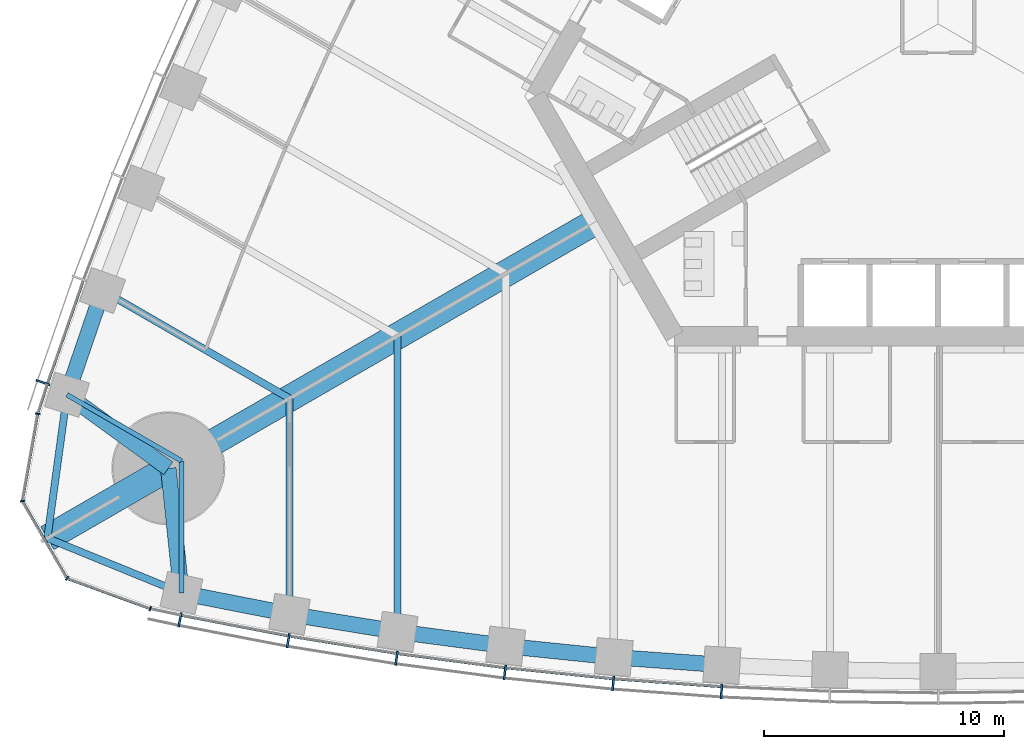
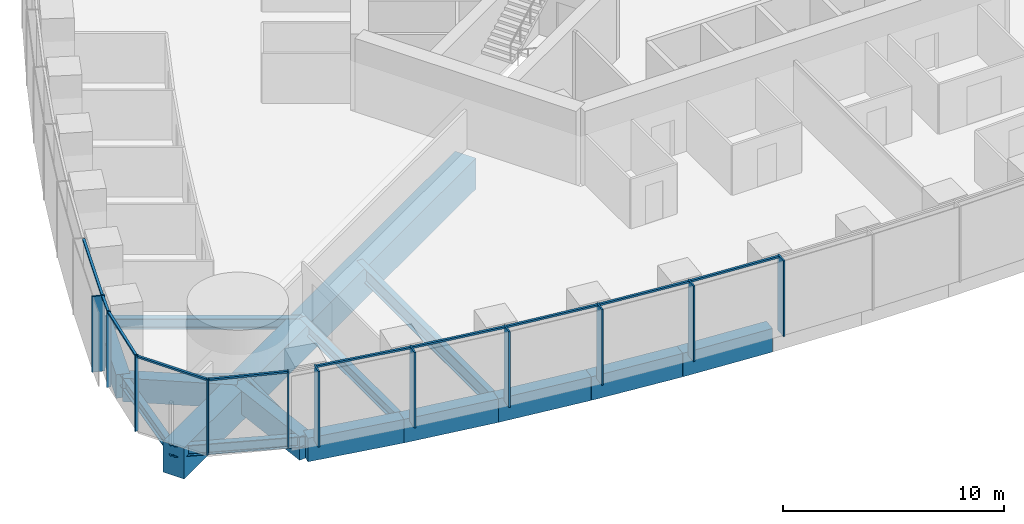
# One storey, part 2 of 19: 21 members, 17 beams, 3 elements without a shape of their own.
"""IFC4 building model written with IfcOpenShell, lengths in metres."""

from ifc_helpers import new_model, si_unit, direction, frame, origin, origin_2d, place, context, subcontext, project, spatial, rectangle, i_section, extrude, material, material_profile, profile_set, type_object, element, aggregate, save


model = new_model("IFC4")

# Units and contexts
model_context = context("Model", 3, precision=1e-05, world=origin(), true_north=direction((0.0, 1.0)))
body_context = subcontext(model_context, "Body", "Model", "MODEL_VIEW")
ifc_project = project(units=[si_unit("LENGTHUNIT", "METRE"), si_unit("AREAUNIT", "SQUARE_METRE"), si_unit("VOLUMEUNIT", "CUBIC_METRE"), si_unit("PLANEANGLEUNIT", "RADIAN"), si_unit("MASSUNIT", "GRAM", prefix="KILO")], contexts=[model_context])

# Site, building, storey
site_placement = place(None, origin())
site = spatial("IfcSite", under=ifc_project, at=site_placement, CompositionType="ELEMENT")
building_placement = place(site_placement, origin())
building = spatial("IfcBuilding", under=site, at=building_placement, Name="Trefoil Bronze Tower", CompositionType="ELEMENT")
storey_placement = place(building_placement, frame((0.0, 0.0, 45.89990234375)))
storey = spatial("IfcBuildingStorey", under=building, at=storey_placement, Name="L10", CompositionType="ELEMENT", Elevation=45.89990234375)

# Curtain wall, members
ifc_material_1 = material(Name="Tinted solar-control glass", Category="glass")
curtain_wall_type_1 = type_object("IfcCurtainWallType", Name="Bronze office curtain wall", PredefinedType="USERDEFINED", material=ifc_material_1)
curtain_wall_1_placement = place(storey_placement, origin())
curtain_wall_1 = element("IfcCurtainWall", 1, at=curtain_wall_1_placement, inside=storey, type_object=curtain_wall_type_1, Name="CW-A L10 F1", ObjectType="CURTAIN WALL", PredefinedType="USERDEFINED")
ifc_material_2 = material(Name="Bronze-finish aluminium", Category="aluminium")
ifc_material_profile_1 = material_profile(ifc_material_2, rectangle(XDim=0.60009765625, YDim=0.080078125, at=origin_2d()), Name="CW-A mullion")
ifc_profile_set_1 = profile_set([ifc_material_profile_1], Name="Bronze-finish aluminium")
member_type_1 = type_object("IfcMemberType", Name="Bronze office curtain wall mullion", PredefinedType="MULLION", material=ifc_profile_set_1)
member_1_placement = place(storey_placement, frame((-31.559326171875, -24.81005859375, 0.0), z_axis=(0.0, 0.0, 1.0), x_axis=(0.197910006829, 0.98022019424, 0.0)))
member_1 = element("IfcMember", 2, at=member_1_placement, type_object=member_type_1, Name="CW-A L10 F1 mullion 2", PredefinedType="MULLION", context=body_context, shape_type="SweptSolid", body=[
    extrude(rectangle(XDim=0.60009765625, YDim=0.080078125, at=origin_2d()), origin(), (0.0, 0.0, 1.0), 4.18017578125),
])
member_2_placement = place(storey_placement, frame((-27.05224609375, -25.67578125, 0.0), z_axis=(0.0, 0.0, 1.0), x_axis=(0.174131146426, 0.984722470468, 0.0)))
member_2 = element("IfcMember", 3, at=member_2_placement, type_object=member_type_1, Name="CW-A L10 F1 mullion 3", PredefinedType="MULLION", context=body_context, shape_type="SweptSolid", body=[
    extrude(rectangle(XDim=0.60009765625, YDim=0.080078125, at=origin_2d()), origin(), (0.0, 0.0, 1.0), 4.18017578125),
])
member_3_placement = place(storey_placement, frame((-22.54345703125, -26.40478515625, 0.0), z_axis=(0.0, 0.0, 1.0), x_axis=(0.145108990094, 0.989415676546, 0.0)))
member_3 = element("IfcMember", 4, at=member_3_placement, type_object=member_type_1, Name="CW-A L10 F1 mullion 4", PredefinedType="MULLION", context=body_context, shape_type="SweptSolid", body=[
    extrude(rectangle(XDim=0.60009765625, YDim=0.080078125, at=origin_2d()), origin(), (0.0, 0.0, 1.0), 4.18017578125),
])
member_4_placement = place(storey_placement, frame((-18.034912109375, -26.99853515625, 0.0), z_axis=(0.0, 0.0, 1.0), x_axis=(0.116086999973, 0.993239048989, 0.0)))
member_4 = element("IfcMember", 5, at=member_4_placement, type_object=member_type_1, Name="CW-A L10 F1 mullion 5", PredefinedType="MULLION", context=body_context, shape_type="SweptSolid", body=[
    extrude(rectangle(XDim=0.60009765625, YDim=0.080078125, at=origin_2d()), origin(), (0.0, 0.0, 1.0), 4.18017578125),
])
member_5_placement = place(storey_placement, frame((-13.526123046875, -27.458984375, 0.0), z_axis=(0.0, 0.0, 1.0), x_axis=(0.087065139456, 0.996202620701, 0.0)))
member_5 = element("IfcMember", 6, at=member_5_placement, type_object=member_type_1, Name="CW-A L10 F1 mullion 6", PredefinedType="MULLION", context=body_context, shape_type="SweptSolid", body=[
    extrude(rectangle(XDim=0.60009765625, YDim=0.080078125, at=origin_2d()), origin(), (0.0, 0.0, 1.0), 4.18017578125),
])
member_6_placement = place(storey_placement, frame((-9.017333984375, -27.786865234375, 0.0), z_axis=(0.0, 0.0, 1.0), x_axis=(0.058043374207, 0.998314062162, 0.0)))
member_6 = element("IfcMember", 7, at=member_6_placement, type_object=member_type_1, Name="CW-A L10 F1 mullion 7", PredefinedType="MULLION", context=body_context, shape_type="SweptSolid", body=[
    extrude(rectangle(XDim=0.60009765625, YDim=0.080078125, at=origin_2d()), origin(), (0.0, 0.0, 1.0), 4.18017578125),
])

# Curtain wall, member
curtain_wall_2_placement = place(storey_placement, origin())
curtain_wall_2 = element("IfcCurtainWall", 8, at=curtain_wall_2_placement, inside=storey, type_object=curtain_wall_type_1, Name="CW-A L10 F3", ObjectType="CURTAIN WALL", PredefinedType="USERDEFINED")
member_7_placement = place(storey_placement, frame((-37.265869140625, -14.92626953125, 0.0), z_axis=(0.0, 0.0, 1.0), x_axis=(0.947850592929, -0.318715003543, 0.0)))
member_7 = element("IfcMember", 9, at=member_7_placement, type_object=member_type_1, Name="CW-A L10 F3 mullion 16", PredefinedType="MULLION", context=body_context, shape_type="SweptSolid", body=[
    extrude(rectangle(XDim=0.60009765625, YDim=0.080078125, at=origin_2d()), origin(), (0.0, 0.0, 1.0), 4.18017578125),
])

# Member
ifc_material_3 = material(Name="Bronze-finish aluminium", Category="aluminium")
ifc_material_profile_2 = material_profile(ifc_material_3, rectangle(XDim=0.1201171875, YDim=0.10009765625, at=origin_2d()), Name="CW-A transom")
ifc_profile_set_2 = profile_set([ifc_material_profile_2], Name="Bronze-finish aluminium")
member_type_2 = type_object("IfcMemberType", Name="Bronze office curtain wall transom", PredefinedType="USERDEFINED", material=ifc_profile_set_2)
member_8_placement = place(storey_placement, frame((-31.4794921875, -24.621826171875, 4.130126953125), z_axis=(0.982053603997, -0.188602011855, 0.0), x_axis=(0.188602011855, 0.982053603997, 0.0)))
member_8 = element("IfcMember", 10, at=member_8_placement, type_object=member_type_2, Name="CW-A L10 F1 transom 2", ObjectType="TRANSOM", PredefinedType="USERDEFINED", context=body_context, shape_type="SweptSolid", body=[
    extrude(rectangle(XDim=0.1201171875, YDim=0.10009765625, at=origin_2d()), origin(), (0.0, 0.0, 1.0), 4.502197265625),
])

member_9_placement = place(storey_placement, frame((-26.9765625, -25.4853515625, 4.130126953125), z_axis=(0.987179401487, -0.159614627398, 0.0), x_axis=(0.159614627398, 0.987179401487, 0.0)))
member_9 = element("IfcMember", 11, at=member_9_placement, type_object=member_type_2, Name="CW-A L10 F1 transom 3", ObjectType="TRANSOM", PredefinedType="USERDEFINED", context=body_context, shape_type="SweptSolid", body=[
    extrude(rectangle(XDim=0.1201171875, YDim=0.10009765625, at=origin_2d()), origin(), (0.0, 0.0, 1.0), 4.478515625),
])

member_10_placement = place(storey_placement, frame((-22.473388671875, -26.212158203125, 4.130126953125), z_axis=(0.991436581643, -0.13058906761, 0.0), x_axis=(0.13058906761, 0.991436581643, 0.0)))
member_10 = element("IfcMember", 12, at=member_10_placement, type_object=member_type_2, Name="CW-A L10 F1 transom 4", ObjectType="TRANSOM", PredefinedType="USERDEFINED", context=body_context, shape_type="SweptSolid", body=[
    extrude(rectangle(XDim=0.1201171875, YDim=0.10009765625, at=origin_2d()), origin(), (0.0, 0.0, 1.0), 4.458740234375),
])

member_11_placement = place(storey_placement, frame((-17.970458984375, -26.80419921875, 4.130126953125), z_axis=(0.994831650915, -0.101538102888, 0.0), x_axis=(0.101538102888, 0.994831650915, 0.0)))
member_11 = element("IfcMember", 13, at=member_11_placement, type_object=member_type_2, Name="CW-A L10 F1 transom 5", ObjectType="TRANSOM", PredefinedType="USERDEFINED", context=body_context, shape_type="SweptSolid", body=[
    extrude(rectangle(XDim=0.1201171875, YDim=0.10009765625, at=origin_2d()), origin(), (0.0, 0.0, 1.0), 4.443359375),
])

member_12_placement = place(storey_placement, frame((-13.46728515625, -27.2626953125, 4.130126953125), z_axis=(0.997364729945, -0.07255064067, 0.0), x_axis=(0.07255064067, 0.997364729945, 0.0)))
member_12 = element("IfcMember", 14, at=member_12_placement, type_object=member_type_2, Name="CW-A L10 F1 transom 6", ObjectType="TRANSOM", PredefinedType="USERDEFINED", context=body_context, shape_type="SweptSolid", body=[
    extrude(rectangle(XDim=0.1201171875, YDim=0.10009765625, at=origin_2d()), origin(), (0.0, 0.0, 1.0), 4.431884765625),
])

aggregate(curtain_wall_1, [member_1, member_2, member_3, member_4, member_5, member_6, member_8, member_9, member_10, member_11, member_12])

member_13_placement = place(storey_placement, frame((-35.587646484375, -10.697509765625, 4.130126953125), z_axis=(-0.327689728493, -0.944785394595, 0.0), x_axis=(0.944785394595, -0.327689728493, 0.0)))
member_13 = element("IfcMember", 15, at=member_13_placement, type_object=member_type_2, Name="CW-A L10 F3 transom 15", ObjectType="TRANSOM", PredefinedType="USERDEFINED", context=body_context, shape_type="SweptSolid", body=[
    extrude(rectangle(XDim=0.1201171875, YDim=0.10009765625, at=origin_2d()), origin(), (0.0, 0.0, 1.0), 4.502197265625),
])

member_14_placement = place(storey_placement, frame((-37.089111328125, -15.02880859375, 4.130126953125), z_axis=(-0.309624219148, -0.950859002648, 0.0), x_axis=(0.950859002648, -0.309624219148, 0.0)))
member_14 = element("IfcMember", 16, at=member_14_placement, type_object=member_type_2, Name="CW-A L10 F3 transom 16", ObjectType="TRANSOM", PredefinedType="USERDEFINED", context=body_context, shape_type="SweptSolid", body=[
    extrude(rectangle(XDim=0.1201171875, YDim=0.10009765625, at=origin_2d()), origin(), (0.0, 0.0, 1.0), 1.21044921875),
])

aggregate(curtain_wall_2, [member_7, member_13, member_14])

# Curtain wall, members
ifc_material_4 = material(Name="Tinted solar-control glass", Category="glass")
curtain_wall_type_2 = type_object("IfcCurtainWallType", Name="Bronze rounded corner curtain wall", PredefinedType="USERDEFINED", material=ifc_material_4)
curtain_wall_3_placement = place(storey_placement, origin())
curtain_wall_3 = element("IfcCurtainWall", 17, at=curtain_wall_3_placement, inside=storey, type_object=curtain_wall_type_2, Name="CW-B L10 K3", ObjectType="CURTAIN WALL", PredefinedType="USERDEFINED")
ifc_material_5 = material(Name="Bronze-finish aluminium", Category="aluminium")
ifc_material_profile_3 = material_profile(ifc_material_5, rectangle(XDim=0.199951171875, YDim=0.06005859375, at=origin_2d()), Name="CW-B mullion")
ifc_profile_set_3 = profile_set([ifc_material_profile_3], Name="Bronze-finish aluminium")
member_type_3 = type_object("IfcMemberType", Name="Bronze rounded corner curtain wall mullion", PredefinedType="MULLION", material=ifc_profile_set_3)
member_15_placement = place(storey_placement, frame((-37.479736328125, -16.2314453125, 0.0), z_axis=(0.0, 0.0, 1.0), x_axis=(0.984807753012, -0.173648177667, 0.0)))
member_15 = element("IfcMember", 18, at=member_15_placement, type_object=member_type_3, Name="CW-B L10 K3 mullion 1", PredefinedType="MULLION", context=body_context, shape_type="SweptSolid", body=[
    extrude(rectangle(XDim=0.199951171875, YDim=0.06005859375, at=origin_2d()), origin(), (0.0, 0.0, 1.0), 4.18017578125),
])
member_16_placement = place(storey_placement, frame((-38.11328125, -19.85888671875, 0.0), z_axis=(0.0, 0.0, 1.0), x_axis=(0.984807753012, 0.173648177667, 0.0)))
member_16 = element("IfcMember", 19, at=member_16_placement, type_object=member_type_3, Name="CW-B L10 K3 mullion 2", PredefinedType="MULLION", context=body_context, shape_type="SweptSolid", body=[
    extrude(rectangle(XDim=0.199951171875, YDim=0.06005859375, at=origin_2d()), origin(), (0.0, 0.0, 1.0), 4.18017578125),
])
member_17_placement = place(storey_placement, frame((-36.2548828125, -23.07763671875, 0.0), z_axis=(0.0, 0.0, 1.0), x_axis=(0.642787609687, 0.766044443119, 0.0)))
member_17 = element("IfcMember", 20, at=member_17_placement, type_object=member_type_3, Name="CW-B L10 K3 mullion 3", PredefinedType="MULLION", context=body_context, shape_type="SweptSolid", body=[
    extrude(rectangle(XDim=0.199951171875, YDim=0.06005859375, at=origin_2d()), origin(), (0.0, 0.0, 1.0), 4.18017578125),
])
member_18_placement = place(storey_placement, frame((-32.796630859375, -24.3427734375, 0.0), z_axis=(0.0, 0.0, 1.0), x_axis=(0.342020143326, 0.939692620786, 0.0)))
member_18 = element("IfcMember", 21, at=member_18_placement, type_object=member_type_3, Name="CW-B L10 K3 mullion 4", PredefinedType="MULLION", context=body_context, shape_type="SweptSolid", body=[
    extrude(rectangle(XDim=0.199951171875, YDim=0.06005859375, at=origin_2d()), origin(), (0.0, 0.0, 1.0), 4.18017578125),
])
ifc_material_6 = material(Name="Bronze-finish aluminium", Category="aluminium")
ifc_material_profile_4 = material_profile(ifc_material_6, rectangle(XDim=0.1201171875, YDim=0.10009765625, at=origin_2d()), Name="CW-B transom")
ifc_profile_set_4 = profile_set([ifc_material_profile_4], Name="Bronze-finish aluminium")
member_type_4 = type_object("IfcMemberType", Name="Bronze rounded corner curtain wall transom", PredefinedType="USERDEFINED", material=ifc_profile_set_4)
member_19_placement = place(storey_placement, frame((-37.48486328125, -16.260986328125, 4.130126953125), z_axis=(-0.17363783606, -0.984809576461, 0.0), x_axis=(0.984809576461, -0.17363783606, 0.0)))
member_19 = element("IfcMember", 22, at=member_19_placement, type_object=member_type_4, Name="CW-B L10 K3 transom 1", ObjectType="TRANSOM", PredefinedType="USERDEFINED", context=body_context, shape_type="SweptSolid", body=[
    extrude(rectangle(XDim=0.1201171875, YDim=0.10009765625, at=origin_2d()), origin(), (0.0, 0.0, 1.0), 3.588134765625),
])
member_20_placement = place(storey_placement, frame((-38.08642578125, -19.91748046875, 4.130126953125), z_axis=(0.500024788772, -0.866011091507, 0.0), x_axis=(0.866011091507, 0.500024788772, 0.0)))
member_20 = element("IfcMember", 23, at=member_20_placement, type_object=member_type_4, Name="CW-B L10 K3 transom 2", ObjectType="TRANSOM", PredefinedType="USERDEFINED", context=body_context, shape_type="SweptSolid", body=[
    extrude(rectangle(XDim=0.1201171875, YDim=0.10009765625, at=origin_2d()), origin(), (0.0, 0.0, 1.0), 3.588134765625),
])
member_21_placement = place(storey_placement, frame((-36.196533203125, -23.105224609375, 4.130126953125), z_axis=(0.939688092095, -0.342032585545, 0.0), x_axis=(0.342032585545, 0.939688092095, 0.0)))
member_21 = element("IfcMember", 24, at=member_21_placement, type_object=member_type_4, Name="CW-B L10 K3 transom 3", ObjectType="TRANSOM", PredefinedType="USERDEFINED", context=body_context, shape_type="SweptSolid", body=[
    extrude(rectangle(XDim=0.1201171875, YDim=0.10009765625, at=origin_2d()), origin(), (0.0, 0.0, 1.0), 3.588134765625),
])
aggregate(curtain_wall_3, [member_15, member_16, member_17, member_18, member_19, member_20, member_21])

# Beams
ifc_material_7 = material(Name="Concrete B80", Category="concrete")
ifc_material_profile_5 = material_profile(ifc_material_7, rectangle(XDim=1.10009765625, YDim=1.699951171875, at=origin_2d()), Name="RC 1100x1700")
ifc_profile_set_5 = profile_set([ifc_material_profile_5], Name="Concrete B80")
beam_type_1 = type_object("IfcBeamType", Name="Corner cantilever RC 1100x1700", PredefinedType="BEAM", material=ifc_profile_set_5)
beam_1_placement = place(storey_placement, frame((-32.04296875, -18.5, -1.0498046875), z_axis=(-0.866030348588, -0.499991435252, 0.0), x_axis=(0.499991435252, -0.866030348588, 0.0)))
element("IfcBeam", 25, at=beam_1_placement, inside=storey, type_object=beam_type_1, Name="Corner cantilever K3 L10", PredefinedType="BEAM", context=body_context, shape_type="SweptSolid", body=[
    extrude(rectangle(XDim=1.10009765625, YDim=1.699951171875, at=origin_2d()), origin(), (0.0, 0.0, 1.0), 5.81396484375),
])
ifc_material_8 = material(Name="Steel C355", Category="steel")
ifc_material_profile_6 = material_profile(ifc_material_8, i_section(OverallWidth=0.300048828125, OverallDepth=0.60009765625, WebThickness=0.015380859375, FlangeThickness=0.030029296875, FilletRadius=0.027099609375, at=origin_2d()), Name="HEB 600")
ifc_profile_set_6 = profile_set([ifc_material_profile_6], Name="Steel C355")
beam_type_2 = type_object("IfcBeamType", Name="Corner edge beam HEB 600", PredefinedType="BEAM", material=ifc_profile_set_6)
beam_2_placement = place(storey_placement, frame((-31.5, -23.684814453125, -0.5), z_axis=(-0.925786874353, 0.378045848114, 0.0), x_axis=(-0.378045848114, -0.925786874353, 0.0)))
element("IfcBeam", 26, at=beam_2_placement, inside=storey, type_object=beam_type_2, Name="Corner edge beam F1B L10", PredefinedType="BEAM", context=body_context, shape_type="SweptSolid", body=[
    extrude(i_section(OverallWidth=0.300048828125, OverallDepth=0.60009765625, WebThickness=0.015380859375, FlangeThickness=0.030029296875, FilletRadius=0.027099609375, at=origin_2d()), origin(), (0.0, 0.0, 1.0), 6.025390625),
])
beam_3_placement = place(storey_placement, frame((-36.26171875, -15.4375, -0.5), z_axis=(-0.13550196505, -0.990777077585, 0.0), x_axis=(0.990777077585, -0.13550196505, 0.0)))
element("IfcBeam", 27, at=beam_3_placement, inside=storey, type_object=beam_type_2, Name="Corner edge beam F3A L10", PredefinedType="BEAM", context=body_context, shape_type="SweptSolid", body=[
    extrude(i_section(OverallWidth=0.300048828125, OverallDepth=0.60009765625, WebThickness=0.015380859375, FlangeThickness=0.030029296875, FilletRadius=0.027099609375, at=origin_2d()), origin(), (0.0, 0.0, 1.0), 6.025146484375),
])
ifc_material_9 = material(Name="Concrete B80", Category="concrete")
ifc_material_profile_7 = material_profile(ifc_material_9, rectangle(XDim=1.10009765625, YDim=1.699951171875, at=origin_2d()), Name="RC 1100x1700")
ifc_profile_set_7 = profile_set([ifc_material_profile_7], Name="Concrete B80")
beam_type_3 = type_object("IfcBeamType", Name="Corner girder RC 1100x1700", PredefinedType="BEAM", material=ifc_profile_set_7)
beam_4_placement = place(storey_placement, frame((-14.202880859375, -8.199951171875, -1.0498046875), z_axis=(-0.866023947468, -0.500002522405, 0.0), x_axis=(0.500002522405, -0.866023947468, 0.0)))
element("IfcBeam", 28, at=beam_4_placement, inside=storey, type_object=beam_type_3, Name="Corner girder K3 L10", PredefinedType="BEAM", context=body_context, shape_type="SweptSolid", body=[
    extrude(rectangle(XDim=1.10009765625, YDim=1.699951171875, at=origin_2d()), origin(), (0.0, 0.0, 1.0), 20.60009765625),
])
ifc_material_10 = material(Name="Concrete B80", Category="concrete")
ifc_material_profile_8 = material_profile(ifc_material_10, rectangle(XDim=0.64990234375, YDim=1.300048828125, at=origin_2d()), Name="RC 650x1300")
ifc_profile_set_8 = profile_set([ifc_material_profile_8], Name="Concrete B80")
beam_type_4 = type_object("IfcBeamType", Name="End spandrel beam RC 650x1300", PredefinedType="SPANDREL", material=ifc_profile_set_8)
for number, where, z_axis, x_axis, name in (
    (29, (-32.04296875, -18.5, -0.849853515625), (0.104153327908, -0.994561252154, 0.0), (0.994561252154, 0.104153327908, 0.0), "Spandrel F1.1 L10"),
    (30, (-36.26171875, -15.4375, -0.849853515625), (0.809254211267, -0.587458612624, 0.0), (0.587458612624, 0.809254211267, 0.0), "Spandrel F3.16 L10"),
):
    element("IfcBeam", number, at=place(storey_placement, frame(where, z_axis=z_axis, x_axis=x_axis)), inside=storey, type_object=beam_type_4, Name=name, PredefinedType="SPANDREL", context=body_context, shape_type="SweptSolid", body=[
        extrude(rectangle(XDim=0.64990234375, YDim=1.300048828125, at=origin_2d()), origin(), (0.0, 0.0, 1.0), 5.213134765625),
    ])
ifc_material_11 = material(Name="Steel C355", Category="steel")
ifc_material_profile_9 = material_profile(ifc_material_11, i_section(OverallWidth=0.300048828125, OverallDepth=0.590087890625, WebThickness=0.012939453125, FlangeThickness=0.02490234375, FilletRadius=0.027099609375, at=origin_2d()), Name="HEA 600")
ifc_profile_set_9 = profile_set([ifc_material_profile_9], Name="Steel C355")
beam_type_5 = type_object("IfcBeamType", Name="Floor beam HEA 600", PredefinedType="BEAM", material=ifc_profile_set_9)
for number, where, z_axis, x_axis, name in (
    (31, (-27.0, -24.56787109375, -0.494873046875), (0.0, 1.0, 0.0), (-1.0, 0.0, 0.0), "Floor beam F1/-6 L10"),
    (32, (-34.7763671875, -11.0986328125, -0.494873046875), (0.866022587327, -0.500004878216, 0.0), (0.500004878216, 0.866022587327, 0.0), "Floor beam F3/+6 L10"),
):
    element("IfcBeam", number, at=place(storey_placement, frame(where, z_axis=z_axis, x_axis=x_axis)), inside=storey, type_object=beam_type_5, Name=name, PredefinedType="BEAM", context=body_context, shape_type="SweptSolid", body=[
        extrude(i_section(OverallWidth=0.300048828125, OverallDepth=0.590087890625, WebThickness=0.012939453125, FlangeThickness=0.02490234375, FilletRadius=0.027099609375, at=origin_2d()), origin(), (0.0, 0.0, 1.0), 8.9794921875),
    ])
ifc_material_12 = material(Name="Steel C355", Category="steel")
ifc_material_profile_10 = material_profile(ifc_material_12, i_section(OverallWidth=0.300048828125, OverallDepth=0.800048828125, WebThickness=0.017578125, FlangeThickness=0.032958984375, FilletRadius=0.030029296875, at=origin_2d()), Name="HEB 800")
ifc_profile_set_10 = profile_set([ifc_material_profile_10], Name="Steel C355")
beam_type_6 = type_object("IfcBeamType", Name="Floor beam HEB 800", PredefinedType="BEAM", material=ifc_profile_set_10)
beam_5_placement = place(storey_placement, frame((-22.5, -25.29931640625, -0.599853515625), z_axis=(0.0, 1.0, 0.0), x_axis=(-1.0, 0.0, 0.0)))
element("IfcBeam", 33, at=beam_5_placement, inside=storey, type_object=beam_type_6, Name="Floor beam F1/-5 L10", PredefinedType="BEAM", context=body_context, shape_type="SweptSolid", body=[
    extrude(i_section(OverallWidth=0.300048828125, OverallDepth=0.800048828125, WebThickness=0.017578125, FlangeThickness=0.032958984375, FilletRadius=0.030029296875, at=origin_2d()), origin(), (0.0, 0.0, 1.0), 12.308837890625),
])
ifc_material_13 = material(Name="Steel C355", Category="steel")
ifc_material_profile_11 = material_profile(ifc_material_13, i_section(OverallWidth=0.199951171875, OverallDepth=0.5, WebThickness=0.01025390625, FlangeThickness=0.01611328125, FilletRadius=0.02099609375, at=origin_2d()), Name="IPE 500")
ifc_profile_set_11 = profile_set([ifc_material_profile_11], Name="Steel C355")
beam_type_7 = type_object("IfcBeamType", Name="Floor beam IPE 500", PredefinedType="BEAM", material=ifc_profile_set_11)
for number, where, z_axis, x_axis, name in (
    (34, (-31.5, -23.684814453125, -0.449951171875), (0.0, 1.0, 0.0), (-1.0, 0.0, 0.0), "Floor beam F1/-7 L10"),
    (35, (-36.26171875, -15.4375, -0.449951171875), (0.866037702141, -0.499978698016, 0.0), (0.499978698016, 0.866037702141, 0.0), "Floor beam F3/+7 L10"),
):
    element("IfcBeam", number, at=place(storey_placement, frame(where, z_axis=z_axis, x_axis=x_axis)), inside=storey, type_object=beam_type_7, Name=name, PredefinedType="BEAM", context=body_context, shape_type="SweptSolid", body=[
        extrude(i_section(OverallWidth=0.199951171875, OverallDepth=0.5, WebThickness=0.01025390625, FlangeThickness=0.01611328125, FilletRadius=0.02099609375, at=origin_2d()), origin(), (0.0, 0.0, 1.0), 5.498291015625),
    ])
ifc_material_14 = material(Name="Concrete B80", Category="concrete")
ifc_material_profile_12 = material_profile(ifc_material_14, rectangle(XDim=0.64990234375, YDim=1.300048828125, at=origin_2d()), Name="RC 650x1300")
ifc_profile_set_12 = profile_set([ifc_material_profile_12], Name="Concrete B80")
beam_type_8 = type_object("IfcBeamType", Name="Spandrel beam RC 650x1300", PredefinedType="SPANDREL", material=ifc_profile_set_12)
beam_6_placement = place(storey_placement, frame((-31.5, -23.684814453125, -0.849853515625), z_axis=(0.981284764092, -0.192562228283, 0.0), x_axis=(0.192562228283, 0.981284764092, 0.0)))
element("IfcBeam", 36, at=beam_6_placement, inside=storey, type_object=beam_type_8, Name="Spandrel F1.2 L10", PredefinedType="SPANDREL", context=body_context, shape_type="SweptSolid", body=[
    extrude(rectangle(XDim=0.64990234375, YDim=1.300048828125, at=origin_2d()), origin(), (0.0, 0.0, 1.0), 4.5859375),
])
beam_7_placement = place(storey_placement, frame((-27.0, -24.56787109375, -0.849853515625), z_axis=(0.987045951254, -0.160437807615, 0.0), x_axis=(0.160437807615, 0.987045951254, 0.0)))
element("IfcBeam", 37, at=beam_7_placement, inside=storey, type_object=beam_type_8, Name="Spandrel F1.3 L10", PredefinedType="SPANDREL", context=body_context, shape_type="SweptSolid", body=[
    extrude(rectangle(XDim=0.64990234375, YDim=1.300048828125, at=origin_2d()), origin(), (0.0, 0.0, 1.0), 4.55908203125),
])
beam_8_placement = place(storey_placement, frame((-22.5, -25.29931640625, -0.849853515625), z_axis=(0.991344474846, -0.131286450906, 0.0), x_axis=(0.131286450906, 0.991344474846, 0.0)))
element("IfcBeam", 38, at=beam_8_placement, inside=storey, type_object=beam_type_8, Name="Spandrel F1.4 L10", PredefinedType="SPANDREL", context=body_context, shape_type="SweptSolid", body=[
    extrude(rectangle(XDim=0.64990234375, YDim=1.300048828125, at=origin_2d()), origin(), (0.0, 0.0, 1.0), 4.539306640625),
])
beam_9_placement = place(storey_placement, frame((-18.0, -25.895263671875, -0.849853515625), z_axis=(0.994778488621, -0.102057623805, 0.0), x_axis=(0.102057623805, 0.994778488621, 0.0)))
element("IfcBeam", 39, at=beam_9_placement, inside=storey, type_object=beam_type_8, Name="Spandrel F1.5 L10", PredefinedType="SPANDREL", context=body_context, shape_type="SweptSolid", body=[
    extrude(rectangle(XDim=0.64990234375, YDim=1.300048828125, at=origin_2d()), origin(), (0.0, 0.0, 1.0), 4.523681640625),
])
beam_10_placement = place(storey_placement, frame((-13.5, -26.35693359375, -0.849853515625), z_axis=(0.997336412354, -0.072938882588, 0.0), x_axis=(0.072938882588, 0.997336412354, 0.0)))
element("IfcBeam", 40, at=beam_10_placement, inside=storey, type_object=beam_type_8, Name="Spandrel F1.6 L10", PredefinedType="SPANDREL", context=body_context, shape_type="SweptSolid", body=[
    extrude(rectangle(XDim=0.64990234375, YDim=1.300048828125, at=origin_2d()), origin(), (0.0, 0.0, 1.0), 4.511962890625),
])
beam_11_placement = place(storey_placement, frame((-34.7763671875, -11.0986328125, -0.849853515625), z_axis=(-0.323883319148, -0.946097032855, 0.0), x_axis=(0.946097032855, -0.323883319148, 0.0)))
element("IfcBeam", 41, at=beam_11_placement, inside=storey, type_object=beam_type_8, Name="Spandrel F3.15 L10", PredefinedType="SPANDREL", context=body_context, shape_type="SweptSolid", body=[
    extrude(rectangle(XDim=0.64990234375, YDim=1.300048828125, at=origin_2d()), origin(), (0.0, 0.0, 1.0), 4.586181640625),
])

save(model, "model.ifc")
